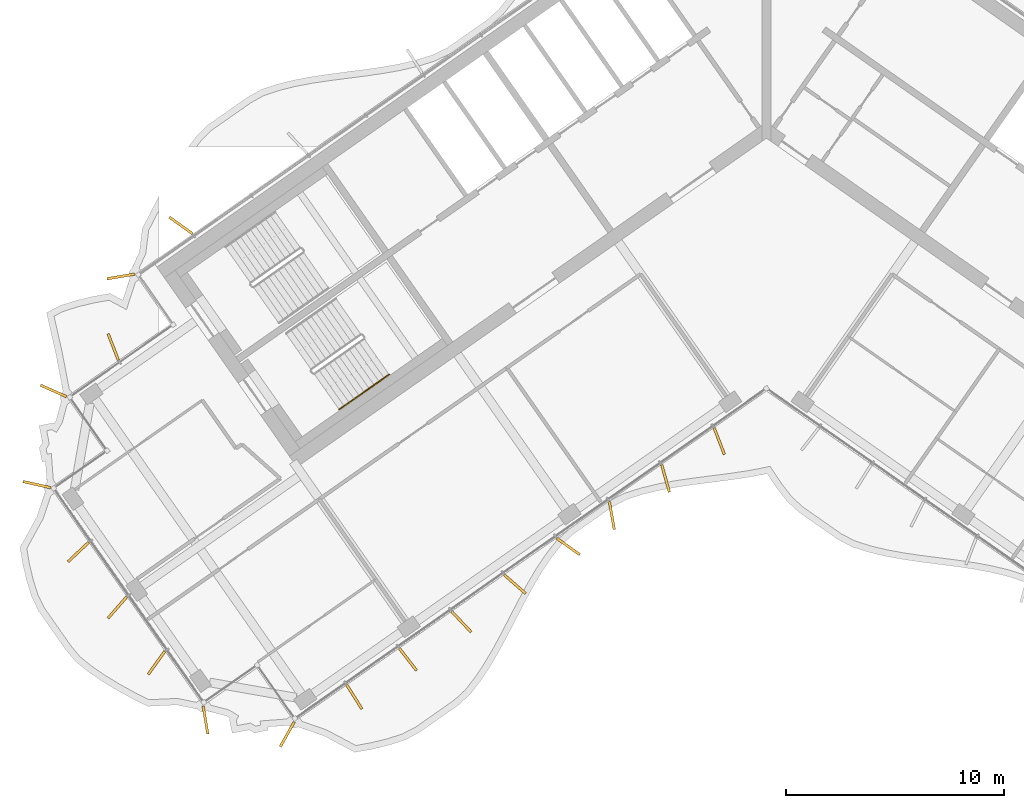
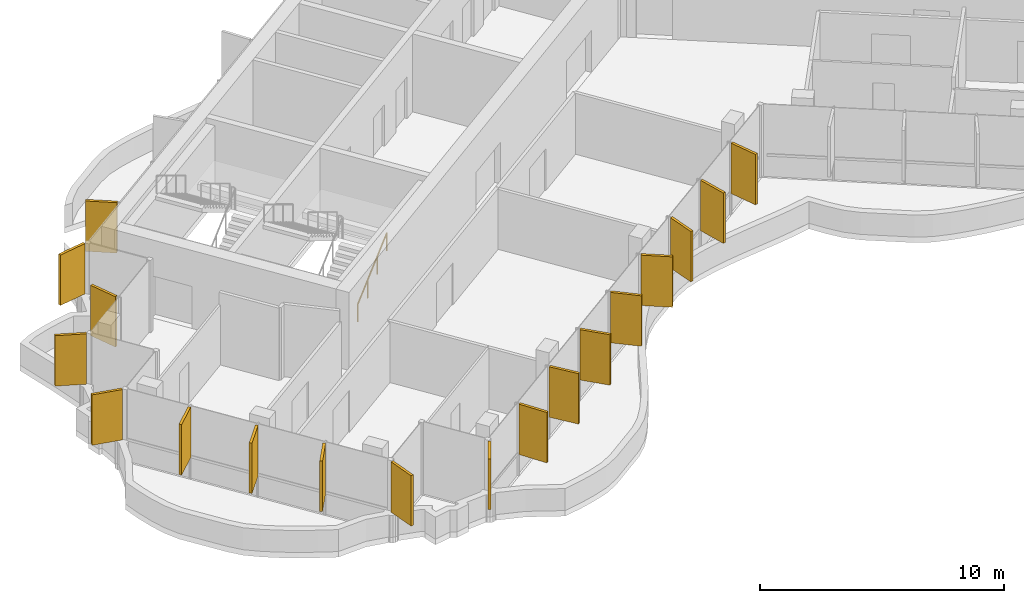
# One storey, part 14 of 18: 18 shading devices, 1 railing.
"""IFC4 building model written with IfcOpenShell, lengths in metres."""

from ifc_helpers import new_model, si_unit, direction, frame, origin, origin_2d, place, context, subcontext, project, spatial, rectangle, circle, extrude, material, layer, layer_set, type_object, element, save


model = new_model("IFC4")

# Units and contexts
model_context = context("Model", 3, precision=1e-05, world=origin(), true_north=direction((0.0, 1.0)))
body_context = subcontext(model_context, "Body", "Model", "MODEL_VIEW")
ifc_project = project(units=[si_unit("LENGTHUNIT", "METRE"), si_unit("AREAUNIT", "SQUARE_METRE"), si_unit("VOLUMEUNIT", "CUBIC_METRE"), si_unit("PLANEANGLEUNIT", "RADIAN"), si_unit("MASSUNIT", "GRAM", prefix="KILO")], contexts=[model_context])

# Site, building, storey
site_placement = place(None, origin())
site = spatial("IfcSite", under=ifc_project, at=site_placement, CompositionType="ELEMENT")
building_placement = place(site_placement, origin())
building = spatial("IfcBuilding", under=site, at=building_placement, Name="Tel Ilan Convention Tower", CompositionType="ELEMENT")
storey_placement = place(building_placement, frame((0.0, 0.0, 256.60009765625)))
storey = spatial("IfcBuildingStorey", under=building, at=storey_placement, Name="L60", CompositionType="ELEMENT", Elevation=256.60009765625)

# Shading devices
ifc_material_1 = material(Name="Aluminium, bronze anodised", Category="aluminium")
ifc_layer = layer(ifc_material_1, 0.1201171875)
ifc_layer_set = layer_set([ifc_layer], Name="FIN BRONZE 1300x120")
shading_device_type = type_object("IfcShadingDeviceType", Name="FIN BRONZE 1300x120", PredefinedType="USERDEFINED", material=ifc_layer_set)
for number, where, z_axis, x_axis, name in (
    (1, (-26.8662109375, -5.2216796875, 1.099853515625), (0.0, 0.0, 1.0), (-0.813552070258, 0.581492071294, 0.0), "FIN"),
    (2, (-29.619140625, -7.562255859375, 1.099853515625), (0.0, 0.0, 1.0), (-0.986445172547, -0.16409119891, 0.0), "FIN"),
    (3, (-29.970458984375, -10.79833984375, 1.099853515625), (0.0, 0.0, 1.0), (-0.360177724803, 0.932883704733, 0.0), "FIN"),
    (4, (-32.7119140625, -12.813720703125, 1.099853515625), (0.0, 0.0, 1.0), (-0.914332505315, 0.404964282034, 0.0), "FIN"),
    (5, (-33.476806640625, -17.113525390625, 1.099853515625), (0.0, 0.0, 1.0), (-0.975235208752, 0.221170268371, 0.0), "FIN"),
    (6, (-31.57080078125, -20.206787109375, 1.099853515625), (0.0, 0.0, 1.0), (-0.727373641577, -0.686241637865, 0.0), "FIN"),
    (7, (-29.780517578125, -22.752197265625, 1.099853515625), (0.0, 0.0, 1.0), (-0.657521368568, -0.753435896329, 0.0), "FIN"),
    (8, (-27.986328125, -25.292724609375, 1.099853515625), (0.0, 0.0, 1.0), (-0.581492071294, -0.813552070258, 0.0), "FIN"),
    (9, (-25.73974609375, -27.91162109375, 1.099853515625), (0.0, 0.0, 1.0), (0.16409119891, -0.986445172547, 0.0), "FIN"),
    (10, (-21.98779296875, -28.5732421875, 1.099853515625), (0.0, 0.0, 1.0), (-0.491579408049, -0.870832754082, 0.0), "FIN"),
    (11, (-18.90966796875, -26.854248046875, 1.099853515625), (0.0, 0.0, 1.0), (0.533204432798, -0.845986425922, 0.0), "FIN"),
    (12, (-16.450927734375, -25.132568359375, 1.099853515625), (0.0, 0.0, 1.0), (0.612600545196, -0.790392669516, 0.0), "FIN"),
    (13, (-13.992431640625, -23.410888671875, 1.099853515625), (0.0, 0.0, 1.0), (0.686241637865, -0.727373641577, 0.0), "FIN"),
    (14, (-11.538330078125, -21.6845703125, 1.099853515625), (0.0, 0.0, 1.0), (0.753435896329, -0.657521368568, 0.0), "FIN"),
    (15, (-9.0888671875, -19.9541015625, 1.099853515625), (0.0, 0.0, 1.0), (0.813552070258, -0.581492071294, 0.0), "FIN"),
    (16, (-7.094482421875, -18.53515625, 1.099853515625), (0.0, 0.0, 1.0), (0.173648177667, -0.984807753012, 0.0), "FIN"),
    (17, (-4.62890625, -16.831298828125, 1.099853515625), (0.0, 0.0, 1.0), (0.268172612768, -0.963370878614, 0.0), "FIN"),
    (18, (-2.1650390625, -15.121337890625, 1.099853515625), (0.0, 0.0, 1.0), (0.360177724803, -0.932883704733, 0.0), "FIN"),
):
    element("IfcShadingDevice", number, at=place(storey_placement, frame(where, z_axis=z_axis, x_axis=x_axis)), inside=storey, type_object=shading_device_type, Name=name, ObjectType="FIN", PredefinedType="USERDEFINED", context=body_context, shape_type="SweptSolid", body=[
        extrude(rectangle(XDim=1.300048828125, YDim=0.1201171875, at=origin_2d()), origin(), (0.0, 0.0, 1.0), 2.52001953125),
    ])

# Railing
ifc_material_2 = material(Name="Stainless Steel Grade 316", Category="steel")
railing_type = type_object("IfcRailingType", Name="Stainless Steel Stair Handrail 900 mm", PredefinedType="HANDRAIL", material=ifc_material_2)
railing_placement = place(storey_placement, frame((-19.6064453125, -13.66748046875, 0.17724609375)))
element("IfcRailing", 19, at=railing_placement, inside=storey, type_object=railing_type, Name="L60 S2 stair handrail 1", PredefinedType="HANDRAIL", context=body_context, shape_type="SweptSolid", body=[
    extrude(circle(Radius=0.02392578125, at=origin_2d()), frame((0.0, 0.0, 0.8759765625), z_axis=(0.692123088272, 0.484596665743, 0.534912798717), x_axis=(-0.573550118428, 0.819170471667, 0.0)), (0.0, 0.0, 1.0), 3.31396484375),
    extrude(circle(Radius=0.02099609375, at=origin_2d()), origin(), (0.0, 0.0, 1.0), 0.851806640625),
    extrude(circle(Radius=0.02099609375, at=origin_2d()), frame((0.7646484375, 0.535400390625, 0.5908203125)), (0.0, 0.0, 1.0), 0.851806640625),
    extrude(circle(Radius=0.02099609375, at=origin_2d()), frame((1.529052734375, 1.070556640625, 1.181884765625)), (0.0, 0.0, 1.0), 0.851806640625),
    extrude(circle(Radius=0.02099609375, at=origin_2d()), frame((2.293701171875, 1.60595703125, 1.772705078125)), (0.0, 0.0, 1.0), 0.851806640625),
])

save(model, "model.ifc")
